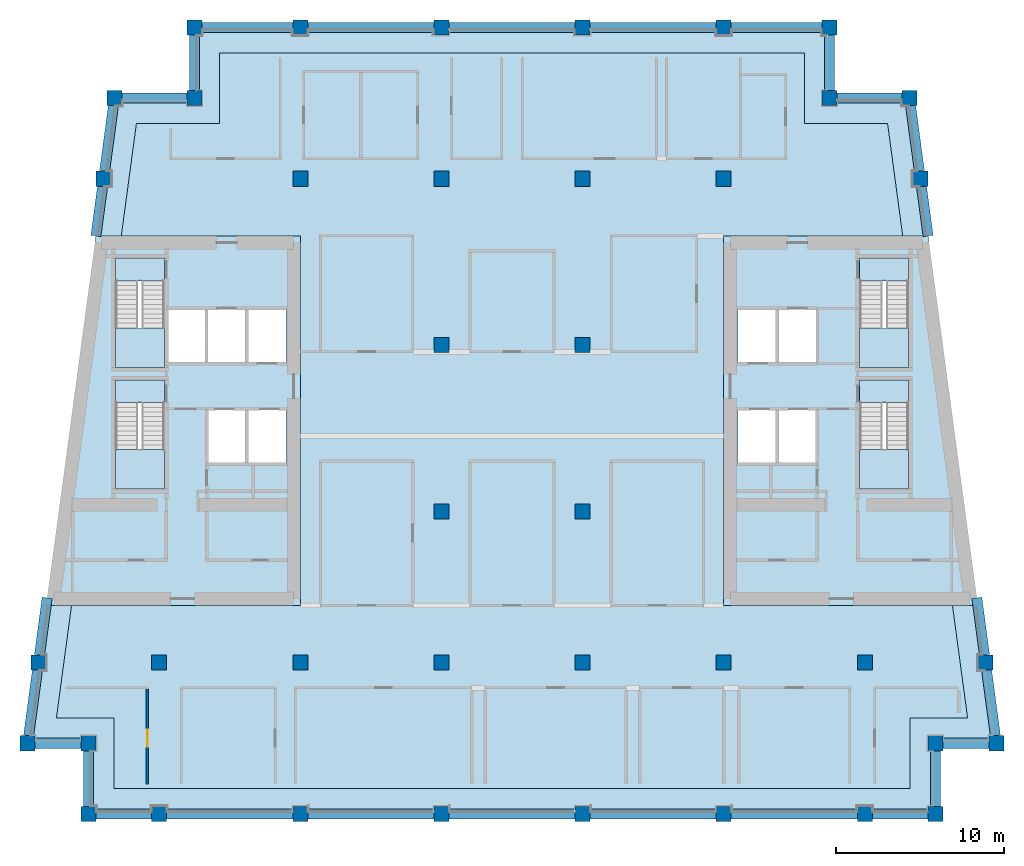
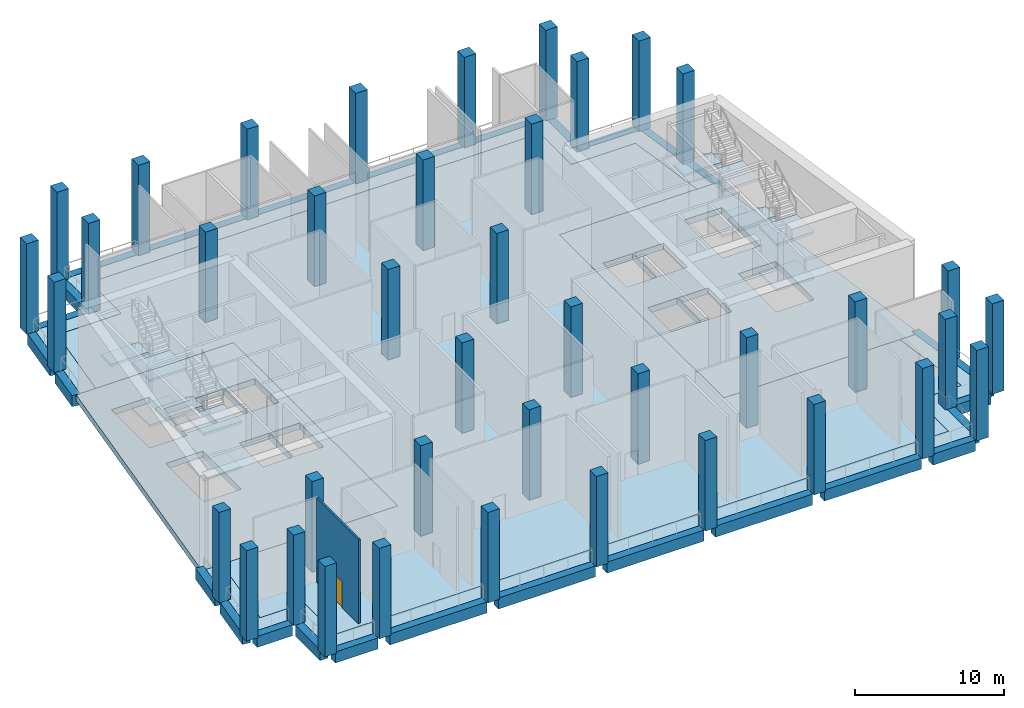
# One storey, part 1 of 10: 40 columns, 28 beams, 17 slabs, 1 door, 1 wall, 1 opening, 4 elements without a shape of their own.
"""IFC4 building model written with IfcOpenShell, lengths in metres."""

from ifc_helpers import new_model, si_unit, direction, frame, frame_2d, origin, origin_2d, place, context, subcontext, project, spatial, polyline, rectangle, outline, extrude, material, layer, layer_set, material_profile, profile_set, type_object, element, fill, aggregate, save


model = new_model("IFC4")

# Units and contexts
model_context = context("Model", 3, precision=1e-05, world=origin(), true_north=direction((0.0, 1.0)))
body_context = subcontext(model_context, "Body", "Model", "MODEL_VIEW")
ifc_project = project(units=[si_unit("LENGTHUNIT", "METRE"), si_unit("AREAUNIT", "SQUARE_METRE"), si_unit("VOLUMEUNIT", "CUBIC_METRE"), si_unit("PLANEANGLEUNIT", "RADIAN"), si_unit("MASSUNIT", "GRAM", prefix="KILO")], contexts=[model_context])

# Site, building, storey
site_placement = place(None, origin())
site = spatial("IfcSite", under=ifc_project, at=site_placement, CompositionType="ELEMENT")
building_placement = place(site_placement, origin())
building = spatial("IfcBuilding", under=site, at=building_placement, Name="Candeia Pilgrim Tower and Theatre", CompositionType="ELEMENT")
storey_placement = place(building_placement, frame((0.0, 0.0, 246.60009765625)))
storey = spatial("IfcBuildingStorey", under=building, at=storey_placement, Name="L60", CompositionType="ELEMENT", Elevation=246.60009765625)

# Columns
ifc_material_1 = material(Name="Concrete C50/60", Category="concrete")
ifc_material_profile_1 = material_profile(ifc_material_1, rectangle(XDim=0.89990234375, YDim=0.89990234375, at=origin_2d()))
ifc_profile_set_1 = profile_set([ifc_material_profile_1], Name="Concrete C50/60")
column_type = type_object("IfcColumnType", Name="RC 900x900 C50/60", PredefinedType="COLUMN", material=ifc_profile_set_1)
for number, where, z_axis, x_axis, name in (
    (1, (92.39990234375, 98.0, 0.0), (0.0, 0.0, 1.0), (1.0, 0.0, 0.0), "Column A1"),
    (2, (100.800048828125, 98.0, 0.0), (0.0, 0.0, 1.0), (1.0, 0.0, 0.0), "Column A2"),
    (3, (109.199951171875, 98.0, 0.0), (0.0, 0.0, 1.0), (1.0, 0.0, 0.0), "Column A3"),
    (4, (117.60009765625, 98.0, 0.0), (0.0, 0.0, 1.0), (1.0, 0.0, 0.0), "Column A4"),
    (5, (126.0, 98.0, 0.0), (0.0, 0.0, 1.0), (1.0, 0.0, 0.0), "Column A5"),
    (6, (134.39990234375, 98.0, 0.0), (0.0, 0.0, 1.0), (1.0, 0.0, 0.0), "Column A6"),
    (7, (88.199951171875, 98.0, 0.0), (0.0, 0.0, 1.0), (1.0, 0.0, 0.0), "Column AW"),
    (8, (138.60009765625, 98.0, 0.0), (0.0, 0.0, 1.0), (1.0, 0.0, 0.0), "Column AE"),
    (9, (88.199951171875, 102.199951171875, 0.0), (0.0, 0.0, 1.0), (1.0, 0.0, 0.0), "Column NSW"),
    (10, (138.60009765625, 102.199951171875, 0.0), (0.0, 0.0, 1.0), (1.0, 0.0, 0.0), "Column NSE"),
    (11, (94.5, 140.60009765625, 0.0), (0.0, 0.0, 1.0), (1.0, 0.0, 0.0), "Column NNW"),
    (12, (132.300048828125, 140.60009765625, 0.0), (0.0, 0.0, 1.0), (1.0, 0.0, 0.0), "Column NNE"),
    (13, (84.5654296875, 102.199951171875, 0.0), (0.0, 0.0, 1.0), (1.0, 0.0, 0.0), "Column LSW"),
    (14, (142.234619140625, 102.199951171875, 0.0), (0.0, 0.0, 1.0), (1.0, 0.0, 0.0), "Column LSE"),
    (15, (89.734619140625, 140.60009765625, 0.0), (0.0, 0.0, 1.0), (1.0, 0.0, 0.0), "Column LNW"),
    (16, (137.0654296875, 140.60009765625, 0.0), (0.0, 0.0, 1.0), (1.0, 0.0, 0.0), "Column LNE"),
    (17, (92.39990234375, 107.0, 0.0), (0.0, 0.0, 1.0), (1.0, 0.0, 0.0), "Column B1"),
    (18, (100.800048828125, 107.0, 0.0), (0.0, 0.0, 1.0), (1.0, 0.0, 0.0), "Column B2"),
    (19, (109.199951171875, 107.0, 0.0), (0.0, 0.0, 1.0), (1.0, 0.0, 0.0), "Column B3"),
    (20, (117.60009765625, 107.0, 0.0), (0.0, 0.0, 1.0), (1.0, 0.0, 0.0), "Column B4"),
    (21, (126.0, 107.0, 0.0), (0.0, 0.0, 1.0), (1.0, 0.0, 0.0), "Column B5"),
    (22, (134.39990234375, 107.0, 0.0), (0.0, 0.0, 1.0), (1.0, 0.0, 0.0), "Column B6"),
    (23, (85.21142578125, 107.0, 0.0), (0.0, 0.0, 1.0), (1.0, 0.0, 0.0), "Column BW"),
    (24, (141.58837890625, 107.0, 0.0), (0.0, 0.0, 1.0), (1.0, 0.0, 0.0), "Column BE"),
    (25, (109.199951171875, 116.0, 0.0), (0.0, 0.0, 1.0), (1.0, 0.0, 0.0), "Column C3"),
    (26, (117.60009765625, 116.0, 0.0), (0.0, 0.0, 1.0), (1.0, 0.0, 0.0), "Column C4"),
    (27, (109.199951171875, 125.89990234375, 0.0), (0.0, 0.0, 1.0), (1.0, 0.0, 0.0), "Column D3"),
    (28, (117.60009765625, 125.89990234375, 0.0), (0.0, 0.0, 1.0), (1.0, 0.0, 0.0), "Column D4"),
    (29, (100.800048828125, 135.800048828125, 0.0), (0.0, 0.0, 1.0), (1.0, 0.0, 0.0), "Column E2"),
    (30, (109.199951171875, 135.800048828125, 0.0), (0.0, 0.0, 1.0), (1.0, 0.0, 0.0), "Column E3"),
    (31, (117.60009765625, 135.800048828125, 0.0), (0.0, 0.0, 1.0), (1.0, 0.0, 0.0), "Column E4"),
    (32, (126.0, 135.800048828125, 0.0), (0.0, 0.0, 1.0), (1.0, 0.0, 0.0), "Column E5"),
    (33, (89.08837890625, 135.800048828125, 0.0), (0.0, 0.0, 1.0), (1.0, 0.0, 0.0), "Column EW"),
    (34, (137.71142578125, 135.800048828125, 0.0), (0.0, 0.0, 1.0), (1.0, 0.0, 0.0), "Column EE"),
    (35, (100.800048828125, 144.800048828125, 0.0), (0.0, 0.0, 1.0), (1.0, 0.0, 0.0), "Column F2"),
    (36, (109.199951171875, 144.800048828125, 0.0), (0.0, 0.0, 1.0), (1.0, 0.0, 0.0), "Column F3"),
    (37, (117.60009765625, 144.800048828125, 0.0), (0.0, 0.0, 1.0), (1.0, 0.0, 0.0), "Column F4"),
    (38, (126.0, 144.800048828125, 0.0), (0.0, 0.0, 1.0), (1.0, 0.0, 0.0), "Column F5"),
    (39, (94.5, 144.800048828125, 0.0), (0.0, 0.0, 1.0), (1.0, 0.0, 0.0), "Column FW"),
    (40, (132.300048828125, 144.800048828125, 0.0), (0.0, 0.0, 1.0), (1.0, 0.0, 0.0), "Column FE"),
):
    element("IfcColumn", number, at=place(storey_placement, frame(where, z_axis=z_axis, x_axis=x_axis)), inside=storey, type_object=column_type, Name=name, PredefinedType="COLUMN", context=body_context, shape_type="SweptSolid", body=[
        extrude(rectangle(XDim=0.89990234375, YDim=0.89990234375, at=origin_2d()), origin(), (0.0, 0.0, 1.0), 7.39990234375),
    ])

# Beams
ifc_material_profile_2 = material_profile(ifc_material_1, rectangle(XDim=0.60009765625, YDim=0.89990234375, at=origin_2d()))
ifc_profile_set_2 = profile_set([ifc_material_profile_2], Name="Concrete C50/60")
beam_type = type_object("IfcBeamType", Name="RC 600x900 C50/60", PredefinedType="BEAM", material=ifc_profile_set_2)
beam_1_placement = place(storey_placement, frame((88.64990234375, 98.0, -0.4501953125), z_axis=(1.0, 0.0, 0.0), x_axis=(0.0, 1.0, 0.0)))
element("IfcBeam", 41, at=beam_1_placement, inside=storey, type_object=beam_type, Name="Spandrel beam L60-01", PredefinedType="BEAM", context=body_context, shape_type="SweptSolid", body=[
    extrude(rectangle(XDim=0.60009765625, YDim=0.89990234375, at=origin_2d()), origin(), (0.0, 0.0, 1.0), 3.300048828125),
])
for number, where, z_axis, x_axis, name in (
    (42, (92.85009765625, 98.0, -0.4501953125), (1.0, 0.0, 0.0), (0.0, 1.0, 0.0), "Spandrel beam L60-02"),
    (43, (101.25, 98.0, -0.4501953125), (1.0, 0.0, 0.0), (0.0, 1.0, 0.0), "Spandrel beam L60-03"),
    (44, (109.64990234375, 98.0, -0.4501953125), (1.0, 0.0, 0.0), (0.0, 1.0, 0.0), "Spandrel beam L60-04"),
    (45, (118.050048828125, 98.0, -0.4501953125), (1.0, 0.0, 0.0), (0.0, 1.0, 0.0), "Spandrel beam L60-05"),
    (46, (126.449951171875, 98.0, -0.4501953125), (1.0, 0.0, 0.0), (0.0, 1.0, 0.0), "Spandrel beam L60-06"),
):
    element("IfcBeam", number, at=place(storey_placement, frame(where, z_axis=z_axis, x_axis=x_axis)), inside=storey, type_object=beam_type, Name=name, PredefinedType="BEAM", context=body_context, shape_type="SweptSolid", body=[
        extrude(rectangle(XDim=0.60009765625, YDim=0.89990234375, at=origin_2d()), origin(), (0.0, 0.0, 1.0), 7.5),
    ])
beam_2_placement = place(storey_placement, frame((134.85009765625, 98.0, -0.4501953125), z_axis=(1.0, 0.0, 0.0), x_axis=(0.0, 1.0, 0.0)))
element("IfcBeam", 47, at=beam_2_placement, inside=storey, type_object=beam_type, Name="Spandrel beam L60-07", PredefinedType="BEAM", context=body_context, shape_type="SweptSolid", body=[
    extrude(rectangle(XDim=0.60009765625, YDim=0.89990234375, at=origin_2d()), origin(), (0.0, 0.0, 1.0), 3.2998046875),
])
beam_3_placement = place(storey_placement, frame((138.60009765625, 98.449951171875, -0.4501953125), z_axis=(0.0, 1.0, 0.0), x_axis=(-1.0, 0.0, 0.0)))
element("IfcBeam", 48, at=beam_3_placement, inside=storey, type_object=beam_type, Name="Spandrel beam L60-08", PredefinedType="BEAM", context=body_context, shape_type="SweptSolid", body=[
    extrude(rectangle(XDim=0.60009765625, YDim=0.89990234375, at=origin_2d()), origin(), (0.0, 0.0, 1.0), 3.300048828125),
])
beam_4_placement = place(storey_placement, frame((139.050048828125, 102.199951171875, -0.4501953125), z_axis=(1.0, 0.0, 0.0), x_axis=(0.0, 1.0, 0.0)))
element("IfcBeam", 49, at=beam_4_placement, inside=storey, type_object=beam_type, Name="Spandrel beam L60-09", PredefinedType="BEAM", context=body_context, shape_type="SweptSolid", body=[
    extrude(rectangle(XDim=0.60009765625, YDim=0.89990234375, at=origin_2d()), origin(), (0.0, 0.0, 1.0), 2.734619140625),
])
beam_5_placement = place(storey_placement, frame((142.174072265625, 102.64990234375, -0.4501953125), z_axis=(-0.133443650757, 0.991056402064, 0.0), x_axis=(-0.991056402064, -0.133443650757, 0.0)))
element("IfcBeam", 50, at=beam_5_placement, inside=storey, type_object=beam_type, Name="Spandrel beam L60-10", PredefinedType="BEAM", context=body_context, shape_type="SweptSolid", body=[
    extrude(rectangle(XDim=0.60009765625, YDim=0.89990234375, at=origin_2d()), origin(), (0.0, 0.0, 1.0), 3.935302734375),
])
beam_6_placement = place(storey_placement, frame((141.52783203125, 107.449951171875, -0.4501953125), z_axis=(-0.133374411439, 0.99106572253, 0.0), x_axis=(-0.99106572253, -0.133374411439, 0.0)))
element("IfcBeam", 51, at=beam_6_placement, inside=storey, type_object=beam_type, Name="Spandrel beam L60-11", PredefinedType="BEAM", context=body_context, shape_type="SweptSolid", body=[
    extrude(rectangle(XDim=0.60009765625, YDim=0.89990234375, at=origin_2d()), origin(), (0.0, 0.0, 1.0), 3.43408203125),
])
beam_7_placement = place(storey_placement, frame((138.169189453125, 132.39990234375, -0.4501953125), z_axis=(-0.133356242983, 0.991068167412, 0.0), x_axis=(-0.991068167412, -0.133356242983, 0.0)))
element("IfcBeam", 52, at=beam_7_placement, inside=storey, type_object=beam_type, Name="Spandrel beam L60-12", PredefinedType="BEAM", context=body_context, shape_type="SweptSolid", body=[
    extrude(rectangle(XDim=0.60009765625, YDim=0.89990234375, at=origin_2d()), origin(), (0.0, 0.0, 1.0), 2.976806640625),
])
beam_8_placement = place(storey_placement, frame((137.65087890625, 136.25, -0.4501953125), z_axis=(-0.133390918184, 0.991063500965, 0.0), x_axis=(-0.991063500965, -0.133390918184, 0.0)))
element("IfcBeam", 53, at=beam_8_placement, inside=storey, type_object=beam_type, Name="Spandrel beam L60-13", PredefinedType="BEAM", context=body_context, shape_type="SweptSolid", body=[
    extrude(rectangle(XDim=0.60009765625, YDim=0.89990234375, at=origin_2d()), origin(), (0.0, 0.0, 1.0), 3.93505859375),
])
beam_9_placement = place(storey_placement, frame((136.615478515625, 140.60009765625, -0.4501953125), z_axis=(-1.0, 0.0, 0.0), x_axis=(0.0, -1.0, 0.0)))
element("IfcBeam", 54, at=beam_9_placement, inside=storey, type_object=beam_type, Name="Spandrel beam L60-14", PredefinedType="BEAM", context=body_context, shape_type="SweptSolid", body=[
    extrude(rectangle(XDim=0.60009765625, YDim=0.89990234375, at=origin_2d()), origin(), (0.0, 0.0, 1.0), 3.865478515625),
])
beam_10_placement = place(storey_placement, frame((132.300048828125, 141.050048828125, -0.4501953125), z_axis=(0.0, 1.0, 0.0), x_axis=(-1.0, 0.0, 0.0)))
element("IfcBeam", 55, at=beam_10_placement, inside=storey, type_object=beam_type, Name="Spandrel beam L60-15", PredefinedType="BEAM", context=body_context, shape_type="SweptSolid", body=[
    extrude(rectangle(XDim=0.60009765625, YDim=0.89990234375, at=origin_2d()), origin(), (0.0, 0.0, 1.0), 3.300048828125),
])
beam_11_placement = place(storey_placement, frame((131.85009765625, 144.800048828125, -0.4501953125), z_axis=(-1.0, 0.0, 0.0), x_axis=(0.0, -1.0, 0.0)))
element("IfcBeam", 56, at=beam_11_placement, inside=storey, type_object=beam_type, Name="Spandrel beam L60-16", PredefinedType="BEAM", context=body_context, shape_type="SweptSolid", body=[
    extrude(rectangle(XDim=0.60009765625, YDim=0.89990234375, at=origin_2d()), origin(), (0.0, 0.0, 1.0), 5.400146484375),
])
for number, where, z_axis, x_axis, name in (
    (57, (125.550048828125, 144.800048828125, -0.4501953125), (-1.0, 0.0, 0.0), (0.0, -1.0, 0.0), "Spandrel beam L60-17"),
    (58, (117.14990234375, 144.800048828125, -0.4501953125), (-1.0, 0.0, 0.0), (0.0, -1.0, 0.0), "Spandrel beam L60-18"),
    (59, (108.75, 144.800048828125, -0.4501953125), (-1.0, 0.0, 0.0), (0.0, -1.0, 0.0), "Spandrel beam L60-19"),
):
    element("IfcBeam", number, at=place(storey_placement, frame(where, z_axis=z_axis, x_axis=x_axis)), inside=storey, type_object=beam_type, Name=name, PredefinedType="BEAM", context=body_context, shape_type="SweptSolid", body=[
        extrude(rectangle(XDim=0.60009765625, YDim=0.89990234375, at=origin_2d()), origin(), (0.0, 0.0, 1.0), 7.5),
    ])
beam_12_placement = place(storey_placement, frame((100.35009765625, 144.800048828125, -0.4501953125), z_axis=(-1.0, 0.0, 0.0), x_axis=(0.0, -1.0, 0.0)))
element("IfcBeam", 60, at=beam_12_placement, inside=storey, type_object=beam_type, Name="Spandrel beam L60-20", PredefinedType="BEAM", context=body_context, shape_type="SweptSolid", body=[
    extrude(rectangle(XDim=0.60009765625, YDim=0.89990234375, at=origin_2d()), origin(), (0.0, 0.0, 1.0), 5.400146484375),
])
beam_13_placement = place(storey_placement, frame((94.5, 144.35009765625, -0.4501953125), z_axis=(0.0, -1.0, 0.0), x_axis=(1.0, 0.0, 0.0)))
element("IfcBeam", 61, at=beam_13_placement, inside=storey, type_object=beam_type, Name="Spandrel beam L60-21", PredefinedType="BEAM", context=body_context, shape_type="SweptSolid", body=[
    extrude(rectangle(XDim=0.60009765625, YDim=0.89990234375, at=origin_2d()), origin(), (0.0, 0.0, 1.0), 3.300048828125),
])
beam_14_placement = place(storey_placement, frame((94.050048828125, 140.60009765625, -0.4501953125), z_axis=(-1.0, 0.0, 0.0), x_axis=(0.0, -1.0, 0.0)))
element("IfcBeam", 62, at=beam_14_placement, inside=storey, type_object=beam_type, Name="Spandrel beam L60-22", PredefinedType="BEAM", context=body_context, shape_type="SweptSolid", body=[
    extrude(rectangle(XDim=0.60009765625, YDim=0.89990234375, at=origin_2d()), origin(), (0.0, 0.0, 1.0), 3.865478515625),
])
beam_15_placement = place(storey_placement, frame((89.674072265625, 140.14990234375, -0.4501953125), z_axis=(-0.133451855788, -0.99105529724, 0.0), x_axis=(0.99105529724, -0.133451855788, 0.0)))
element("IfcBeam", 63, at=beam_15_placement, inside=storey, type_object=beam_type, Name="Spandrel beam L60-23", PredefinedType="BEAM", context=body_context, shape_type="SweptSolid", body=[
    extrude(rectangle(XDim=0.60009765625, YDim=0.89990234375, at=origin_2d()), origin(), (0.0, 0.0, 1.0), 3.93505859375),
])
beam_16_placement = place(storey_placement, frame((89.02783203125, 135.35009765625, -0.4501953125), z_axis=(-0.133356242983, -0.991068167412, 0.0), x_axis=(0.991068167412, -0.133356242983, 0.0)))
element("IfcBeam", 64, at=beam_16_placement, inside=storey, type_object=beam_type, Name="Spandrel beam L60-24", PredefinedType="BEAM", context=body_context, shape_type="SweptSolid", body=[
    extrude(rectangle(XDim=0.60009765625, YDim=0.89990234375, at=origin_2d()), origin(), (0.0, 0.0, 1.0), 2.976806640625),
])
beam_17_placement = place(storey_placement, frame((85.730224609375, 110.853271484375, -0.4501953125), z_axis=(-0.133374411439, -0.99106572253, 0.0), x_axis=(0.99106572253, -0.133374411439, 0.0)))
element("IfcBeam", 65, at=beam_17_placement, inside=storey, type_object=beam_type, Name="Spandrel beam L60-25", PredefinedType="BEAM", context=body_context, shape_type="SweptSolid", body=[
    extrude(rectangle(XDim=0.60009765625, YDim=0.89990234375, at=origin_2d()), origin(), (0.0, 0.0, 1.0), 3.43408203125),
])
beam_18_placement = place(storey_placement, frame((85.15087890625, 106.550048828125, -0.4501953125), z_axis=(-0.133382716764, -0.991064604791, 0.0), x_axis=(0.991064604791, -0.133382716764, 0.0)))
element("IfcBeam", 66, at=beam_18_placement, inside=storey, type_object=beam_type, Name="Spandrel beam L60-26", PredefinedType="BEAM", context=body_context, shape_type="SweptSolid", body=[
    extrude(rectangle(XDim=0.60009765625, YDim=0.89990234375, at=origin_2d()), origin(), (0.0, 0.0, 1.0), 3.935302734375),
])
beam_19_placement = place(storey_placement, frame((85.015380859375, 102.199951171875, -0.4501953125), z_axis=(1.0, 0.0, 0.0), x_axis=(0.0, 1.0, 0.0)))
element("IfcBeam", 67, at=beam_19_placement, inside=storey, type_object=beam_type, Name="Spandrel beam L60-27", PredefinedType="BEAM", context=body_context, shape_type="SweptSolid", body=[
    extrude(rectangle(XDim=0.60009765625, YDim=0.89990234375, at=origin_2d()), origin(), (0.0, 0.0, 1.0), 2.734619140625),
])
beam_20_placement = place(storey_placement, frame((88.199951171875, 101.75, -0.4501953125), z_axis=(0.0, -1.0, 0.0), x_axis=(1.0, 0.0, 0.0)))
element("IfcBeam", 68, at=beam_20_placement, inside=storey, type_object=beam_type, Name="Spandrel beam L60-28", PredefinedType="BEAM", context=body_context, shape_type="SweptSolid", body=[
    extrude(rectangle(XDim=0.60009765625, YDim=0.89990234375, at=origin_2d()), origin(), (0.0, 0.0, 1.0), 3.300048828125),
])

# Slabs
ifc_material_2 = material(Name="Concrete C60/75", Category="concrete")
ifc_layer_1 = layer(ifc_material_2, 0.5)
ifc_layer_set_1 = layer_set([ifc_layer_1], Name="FS-CORE 500 core floor")
slab_type_1 = type_object("IfcSlabType", Name="FS-CORE 500 core floor", PredefinedType="FLOOR", material=ifc_layer_set_1)
slab_1_placement = place(storey_placement, frame((0.0, 0.0, -0.5)))
element("IfcSlab", 69, at=slab_1_placement, inside=storey, type_object=slab_type_1, Name="Core floor W L60", PredefinedType="FLOOR", context=body_context, shape_type="SweptSolid", body=[
    extrude(outline(polyline([(100.800048828125, 132.39990234375), (100.800048828125, 110.39990234375), (85.669189453125, 110.39990234375), (88.630859375, 132.39990234375), (100.800048828125, 132.39990234375)]), holes=[polyline([(97.658935546875, 128.050048828125), (97.658935546875, 124.85009765625), (99.949951171875, 124.85009765625), (99.949951171875, 128.050048828125), (97.658935546875, 128.050048828125)]), polyline([(97.66357421875, 122.050048828125), (97.66357421875, 118.85009765625), (99.949951171875, 118.85009765625), (99.949951171875, 122.050048828125), (97.66357421875, 122.050048828125)]), polyline([(95.277099609375, 122.050048828125), (95.277099609375, 118.85009765625), (97.5634765625, 118.85009765625), (97.5634765625, 122.050048828125), (95.277099609375, 122.050048828125)]), polyline([(95.26806640625, 128.050048828125), (95.26806640625, 124.85009765625), (97.55908203125, 124.85009765625), (97.55908203125, 128.050048828125), (95.26806640625, 128.050048828125)]), polyline([(92.876953125, 128.050048828125), (92.876953125, 124.85009765625), (95.16796875, 124.85009765625), (95.16796875, 128.050048828125), (92.876953125, 128.050048828125)]), polyline([(89.802001953125, 117.324951171875), (92.701904296875, 117.324951171875), (92.701904296875, 122.455078125), (89.802001953125, 122.455078125), (89.802001953125, 117.324951171875)]), polyline([(89.802001953125, 129.705078125), (89.802001953125, 124.574951171875), (92.701904296875, 124.574951171875), (92.701904296875, 129.705078125), (89.802001953125, 129.705078125)])]), origin(), (0.0, 0.0, 1.0), 0.5),
])
slab_2_placement = place(storey_placement, frame((0.0, 0.0, -0.5)))
element("IfcSlab", 70, at=slab_2_placement, inside=storey, type_object=slab_type_1, Name="Core floor E L60", PredefinedType="FLOOR", context=body_context, shape_type="SweptSolid", body=[
    extrude(outline(polyline([(138.169189453125, 132.39990234375), (141.130859375, 110.39990234375), (126.0, 110.39990234375), (126.0, 132.39990234375), (138.169189453125, 132.39990234375)]), holes=[polyline([(134.097900390625, 117.324951171875), (136.998046875, 117.324951171875), (136.998046875, 122.455078125), (134.097900390625, 122.455078125), (134.097900390625, 117.324951171875)]), polyline([(134.097900390625, 129.705078125), (134.097900390625, 124.574951171875), (136.998046875, 124.574951171875), (136.998046875, 129.705078125), (134.097900390625, 129.705078125)]), polyline([(131.531982421875, 128.050048828125), (129.240966796875, 128.050048828125), (129.240966796875, 124.85009765625), (131.531982421875, 124.85009765625), (131.531982421875, 128.050048828125)]), polyline([(131.52294921875, 122.050048828125), (129.236572265625, 122.050048828125), (129.236572265625, 118.85009765625), (131.52294921875, 118.85009765625), (131.52294921875, 122.050048828125)]), polyline([(126.85009765625, 128.050048828125), (126.85009765625, 124.85009765625), (129.14111328125, 124.85009765625), (129.14111328125, 128.050048828125), (126.85009765625, 128.050048828125)]), polyline([(129.136474609375, 122.050048828125), (126.85009765625, 122.050048828125), (126.85009765625, 118.85009765625), (129.136474609375, 118.85009765625), (129.136474609375, 122.050048828125)])]), origin(), (0.0, 0.0, 1.0), 0.5),
])
ifc_material_3 = material(Name="Concrete C40/50", Category="concrete")
ifc_layer_2 = layer(ifc_material_3, 0.5)
ifc_layer_set_2 = layer_set([ifc_layer_2], Name="Floor slab 500 C40/50")
slab_type_2 = type_object("IfcSlabType", Name="Floor slab 500 C40/50", PredefinedType="FLOOR", material=ifc_layer_set_2)
slab_3_placement = place(storey_placement, frame((0.0, 0.0, -0.5)))
element("IfcSlab", 71, at=slab_3_placement, inside=storey, type_object=slab_type_2, Name="Floor slab L60", PredefinedType="FLOOR", context=body_context, shape_type="SweptSolid", body=[
    extrude(outline(polyline([(96.0, 139.10009765625), (96.0, 143.300048828125), (130.800048828125, 143.300048828125), (130.800048828125, 139.10009765625), (135.753662109375, 139.10009765625), (136.65576171875, 132.39990234375), (126.0, 132.39990234375), (126.0, 110.39990234375), (139.6171875, 110.39990234375), (140.51904296875, 103.699951171875), (137.10009765625, 103.699951171875), (137.10009765625, 99.5), (89.699951171875, 99.5), (89.699951171875, 103.699951171875), (86.28076171875, 103.699951171875), (87.182861328125, 110.39990234375), (100.800048828125, 110.39990234375), (100.800048828125, 132.39990234375), (90.144287109375, 132.39990234375), (91.046142578125, 139.10009765625), (96.0, 139.10009765625)])), origin(), (0.0, 0.0, 1.0), 0.5),
])
ifc_layer_3 = layer(ifc_material_3, 0.25)
ifc_layer_set_3 = layer_set([ifc_layer_3], Name="Loggia slab 250 C40/50")
slab_type_3 = type_object("IfcSlabType", Name="Loggia slab 250 C40/50", PredefinedType="FLOOR", material=ifc_layer_set_3)
slab_4_placement = place(storey_placement, frame((0.0, 0.0, -0.25)))
element("IfcSlab", 72, at=slab_4_placement, inside=storey, type_object=slab_type_3, Name="Loggia slab L60 1", PredefinedType="FLOOR", context=body_context, shape_type="SweptSolid", body=[
    extrude(outline(polyline([(87.182861328125, 110.39990234375), (86.28076171875, 103.699951171875), (89.699951171875, 103.699951171875), (89.699951171875, 99.5), (137.10009765625, 99.5), (137.10009765625, 103.699951171875), (140.51904296875, 103.699951171875), (139.6171875, 110.39990234375), (140.828125, 110.39990234375), (141.8916015625, 102.5), (138.300048828125, 102.5), (138.300048828125, 98.300048828125), (88.5, 98.300048828125), (88.5, 102.5), (84.908447265625, 102.5), (85.971923828125, 110.39990234375), (87.182861328125, 110.39990234375)])), origin(), (0.0, 0.0, 1.0), 0.25),
])
slab_5_placement = place(storey_placement, frame((0.0, 0.0, -0.25)))
element("IfcSlab", 73, at=slab_5_placement, inside=storey, type_object=slab_type_3, Name="Loggia slab L60 2", PredefinedType="FLOOR", context=body_context, shape_type="SweptSolid", body=[
    extrude(outline(polyline([(136.65576171875, 132.39990234375), (135.753662109375, 139.10009765625), (130.800048828125, 139.10009765625), (130.800048828125, 143.300048828125), (96.0, 143.300048828125), (96.0, 139.10009765625), (91.046142578125, 139.10009765625), (90.144287109375, 132.39990234375), (88.93359375, 132.39990234375), (89.996826171875, 140.300048828125), (94.800048828125, 140.300048828125), (94.800048828125, 144.5), (132.0, 144.5), (132.0, 140.300048828125), (136.802978515625, 140.300048828125), (137.866455078125, 132.39990234375), (136.65576171875, 132.39990234375)])), origin(), (0.0, 0.0, 1.0), 0.25),
])

# Stair, slabs
stair_type = type_object("IfcStairType", Name="ST-TWR dog-leg escape stair", PredefinedType="HALF_TURN_STAIR", material=ifc_material_3)
stair_1_placement = place(storey_placement, origin())
stair_1 = element("IfcStair", 74, at=stair_1_placement, inside=storey, type_object=stair_type, Name="L60 Escape stair ST1", PredefinedType="HALF_TURN_STAIR")
ifc_layer_4 = layer(ifc_material_3, 0.199951171875)
ifc_layer_set_4 = layer_set([ifc_layer_4], Name="SL-LANDING stair landing")
slab_type_4 = type_object("IfcSlabType", Name="SL-LANDING stair landing", PredefinedType="LANDING", material=ifc_layer_set_4)
slab_6_placement = place(storey_placement, frame((0.0, 0.0, 1.64990234375)))
slab_6 = element("IfcSlab", 75, at=slab_6_placement, type_object=slab_type_4, Name="ST1 landing 1", PredefinedType="LANDING", context=body_context, shape_type="SweptSolid", body=[
    extrude(outline(polyline([(89.802001953125, 119.675048828125), (89.802001953125, 117.324951171875), (92.701904296875, 117.324951171875), (92.701904296875, 119.675048828125), (89.802001953125, 119.675048828125)])), origin(), (0.0, 0.0, 1.0), 0.199951171875),
])
slab_7_placement = place(storey_placement, frame((0.0, 0.0, 3.5)))
slab_7 = element("IfcSlab", 76, at=slab_7_placement, type_object=slab_type_4, Name="ST1 landing 2", PredefinedType="LANDING", context=body_context, shape_type="SweptSolid", body=[
    extrude(outline(polyline([(89.802001953125, 123.824951171875), (89.802001953125, 122.47509765625), (92.701904296875, 122.47509765625), (92.701904296875, 123.824951171875), (89.802001953125, 123.824951171875)])), origin(), (0.0, 0.0, 1.0), 0.199951171875),
])
slab_8_placement = place(storey_placement, frame((0.0, 0.0, 5.349853515625)))
slab_8 = element("IfcSlab", 77, at=slab_8_placement, type_object=slab_type_4, Name="ST1 landing 3", PredefinedType="LANDING", context=body_context, shape_type="SweptSolid", body=[
    extrude(outline(polyline([(89.802001953125, 119.675048828125), (89.802001953125, 117.324951171875), (92.701904296875, 117.324951171875), (92.701904296875, 119.675048828125), (89.802001953125, 119.675048828125)])), origin(), (0.0, 0.0, 1.0), 0.199951171875),
])
aggregate(stair_1, [slab_6, slab_7, slab_8])

stair_2_placement = place(storey_placement, origin())
stair_2 = element("IfcStair", 78, at=stair_2_placement, inside=storey, type_object=stair_type, Name="L60 Escape stair ST2", PredefinedType="HALF_TURN_STAIR")
slab_9_placement = place(storey_placement, frame((0.0, 0.0, 1.64990234375)))
slab_9 = element("IfcSlab", 79, at=slab_9_placement, type_object=slab_type_4, Name="ST2 landing 1", PredefinedType="LANDING", context=body_context, shape_type="SweptSolid", body=[
    extrude(outline(polyline([(89.802001953125, 126.925048828125), (89.802001953125, 124.574951171875), (92.701904296875, 124.574951171875), (92.701904296875, 126.925048828125), (89.802001953125, 126.925048828125)])), origin(), (0.0, 0.0, 1.0), 0.199951171875),
])
slab_10_placement = place(storey_placement, frame((0.0, 0.0, 3.5)))
slab_10 = element("IfcSlab", 80, at=slab_10_placement, type_object=slab_type_4, Name="ST2 landing 2", PredefinedType="LANDING", context=body_context, shape_type="SweptSolid", body=[
    extrude(outline(polyline([(89.802001953125, 131.074951171875), (89.802001953125, 129.72509765625), (92.701904296875, 129.72509765625), (92.701904296875, 131.074951171875), (89.802001953125, 131.074951171875)])), origin(), (0.0, 0.0, 1.0), 0.199951171875),
])
slab_11_placement = place(storey_placement, frame((0.0, 0.0, 5.349853515625)))
slab_11 = element("IfcSlab", 81, at=slab_11_placement, type_object=slab_type_4, Name="ST2 landing 3", PredefinedType="LANDING", context=body_context, shape_type="SweptSolid", body=[
    extrude(outline(polyline([(89.802001953125, 126.925048828125), (89.802001953125, 124.574951171875), (92.701904296875, 124.574951171875), (92.701904296875, 126.925048828125), (89.802001953125, 126.925048828125)])), origin(), (0.0, 0.0, 1.0), 0.199951171875),
])
aggregate(stair_2, [slab_9, slab_10, slab_11])

stair_3_placement = place(storey_placement, origin())
stair_3 = element("IfcStair", 82, at=stair_3_placement, inside=storey, type_object=stair_type, Name="L60 Escape stair ST3", PredefinedType="HALF_TURN_STAIR")
slab_12_placement = place(storey_placement, frame((0.0, 0.0, 1.64990234375)))
slab_12 = element("IfcSlab", 83, at=slab_12_placement, type_object=slab_type_4, Name="ST3 landing 1", PredefinedType="LANDING", context=body_context, shape_type="SweptSolid", body=[
    extrude(outline(polyline([(134.097900390625, 119.675048828125), (134.097900390625, 117.324951171875), (136.998046875, 117.324951171875), (136.998046875, 119.675048828125), (134.097900390625, 119.675048828125)])), origin(), (0.0, 0.0, 1.0), 0.199951171875),
])
slab_13_placement = place(storey_placement, frame((0.0, 0.0, 3.5)))
slab_13 = element("IfcSlab", 84, at=slab_13_placement, type_object=slab_type_4, Name="ST3 landing 2", PredefinedType="LANDING", context=body_context, shape_type="SweptSolid", body=[
    extrude(outline(polyline([(134.097900390625, 123.824951171875), (134.097900390625, 122.47509765625), (136.998046875, 122.47509765625), (136.998046875, 123.824951171875), (134.097900390625, 123.824951171875)])), origin(), (0.0, 0.0, 1.0), 0.199951171875),
])
slab_14_placement = place(storey_placement, frame((0.0, 0.0, 5.349853515625)))
slab_14 = element("IfcSlab", 85, at=slab_14_placement, type_object=slab_type_4, Name="ST3 landing 3", PredefinedType="LANDING", context=body_context, shape_type="SweptSolid", body=[
    extrude(outline(polyline([(134.097900390625, 119.675048828125), (134.097900390625, 117.324951171875), (136.998046875, 117.324951171875), (136.998046875, 119.675048828125), (134.097900390625, 119.675048828125)])), origin(), (0.0, 0.0, 1.0), 0.199951171875),
])
aggregate(stair_3, [slab_12, slab_13, slab_14])

stair_4_placement = place(storey_placement, origin())
stair_4 = element("IfcStair", 86, at=stair_4_placement, inside=storey, type_object=stair_type, Name="L60 Escape stair ST4", PredefinedType="HALF_TURN_STAIR")
slab_15_placement = place(storey_placement, frame((0.0, 0.0, 1.64990234375)))
slab_15 = element("IfcSlab", 87, at=slab_15_placement, type_object=slab_type_4, Name="ST4 landing 1", PredefinedType="LANDING", context=body_context, shape_type="SweptSolid", body=[
    extrude(outline(polyline([(134.097900390625, 126.925048828125), (134.097900390625, 124.574951171875), (136.998046875, 124.574951171875), (136.998046875, 126.925048828125), (134.097900390625, 126.925048828125)])), origin(), (0.0, 0.0, 1.0), 0.199951171875),
])
slab_16_placement = place(storey_placement, frame((0.0, 0.0, 3.5)))
slab_16 = element("IfcSlab", 88, at=slab_16_placement, type_object=slab_type_4, Name="ST4 landing 2", PredefinedType="LANDING", context=body_context, shape_type="SweptSolid", body=[
    extrude(outline(polyline([(134.097900390625, 131.074951171875), (134.097900390625, 129.72509765625), (136.998046875, 129.72509765625), (136.998046875, 131.074951171875), (134.097900390625, 131.074951171875)])), origin(), (0.0, 0.0, 1.0), 0.199951171875),
])
slab_17_placement = place(storey_placement, frame((0.0, 0.0, 5.349853515625)))
slab_17 = element("IfcSlab", 89, at=slab_17_placement, type_object=slab_type_4, Name="ST4 landing 3", PredefinedType="LANDING", context=body_context, shape_type="SweptSolid", body=[
    extrude(outline(polyline([(134.097900390625, 126.925048828125), (134.097900390625, 124.574951171875), (136.998046875, 124.574951171875), (136.998046875, 126.925048828125), (134.097900390625, 126.925048828125)])), origin(), (0.0, 0.0, 1.0), 0.199951171875),
])
aggregate(stair_4, [slab_15, slab_16, slab_17])

# Wall, opening, door
ifc_material_4 = material(Name="Gypsum board partition on steel studs", Category="steel")
ifc_layer_5 = layer(ifc_material_4, 0.14990234375)
ifc_layer_set_5 = layer_set([ifc_layer_5], Name="PW-150 unit wall")
wall_type = type_object("IfcWallType", Name="PW-150 unit wall", PredefinedType="PARTITIONING", material=ifc_layer_set_5)
wall_placement = place(storey_placement, frame((91.699951171875, 99.7900390625, 0.0), z_axis=(0.0, 0.0, 1.0), x_axis=(0.0, 1.0, 0.0)))
wall = element("IfcWall", 90, at=wall_placement, inside=storey, type_object=wall_type, Name="Unit wall L60-071", PredefinedType="PARTITIONING", context=body_context, shape_type="SweptSolid", body=[
    extrude(rectangle(XDim=5.635009765625, YDim=0.14990234375, at=frame_2d((2.8173828125, 0.0))), origin(), (0.0, 0.0, 1.0), 6.89990234375),
])
opening_placement = place(wall_placement, frame((2.2099609375, 0.0, 0.0)))
opening = element("IfcOpeningElement", 91, at=opening_placement, cuts=wall, Name="Opening L60-D010", PredefinedType="OPENING", context=body_context, shape_type="SweptSolid", body=[
    extrude(rectangle(XDim=1.0, YDim=2.10009765625, at=frame_2d((0.5, 1.050048828125))), frame((0.0, 0.0849609375, 0.0), z_axis=(0.0, -1.0, 0.0), x_axis=(1.0, 0.0, 0.0)), (0.0, 0.0, 1.0), 0.169921875),
])
ifc_material_5 = material(Name="Timber door leaf", Category="wood")
door_type = type_object("IfcDoorType", Name="D-1000", OperationType="NOTDEFINED", PredefinedType="DOOR", material=ifc_material_5)
door_placement = place(opening_placement, origin())
door = element("IfcDoor", 92, at=door_placement, inside=storey, type_object=door_type, Name="Door L60-D010", OperationType="SINGLE_SWING_RIGHT", OverallHeight=2.10009765625, OverallWidth=1.0, PredefinedType="DOOR", context=body_context, shape_type="SweptSolid", body=[
    extrude(rectangle(XDim=1.0, YDim=2.10009765625, at=frame_2d((0.5, 1.050048828125))), frame((0.0, 0.02490234375, 0.0), z_axis=(0.0, -1.0, 0.0), x_axis=(1.0, 0.0, 0.0)), (0.0, 0.0, 1.0), 0.050048828125),
])
fill(opening, door)

save(model, "model.ifc")
